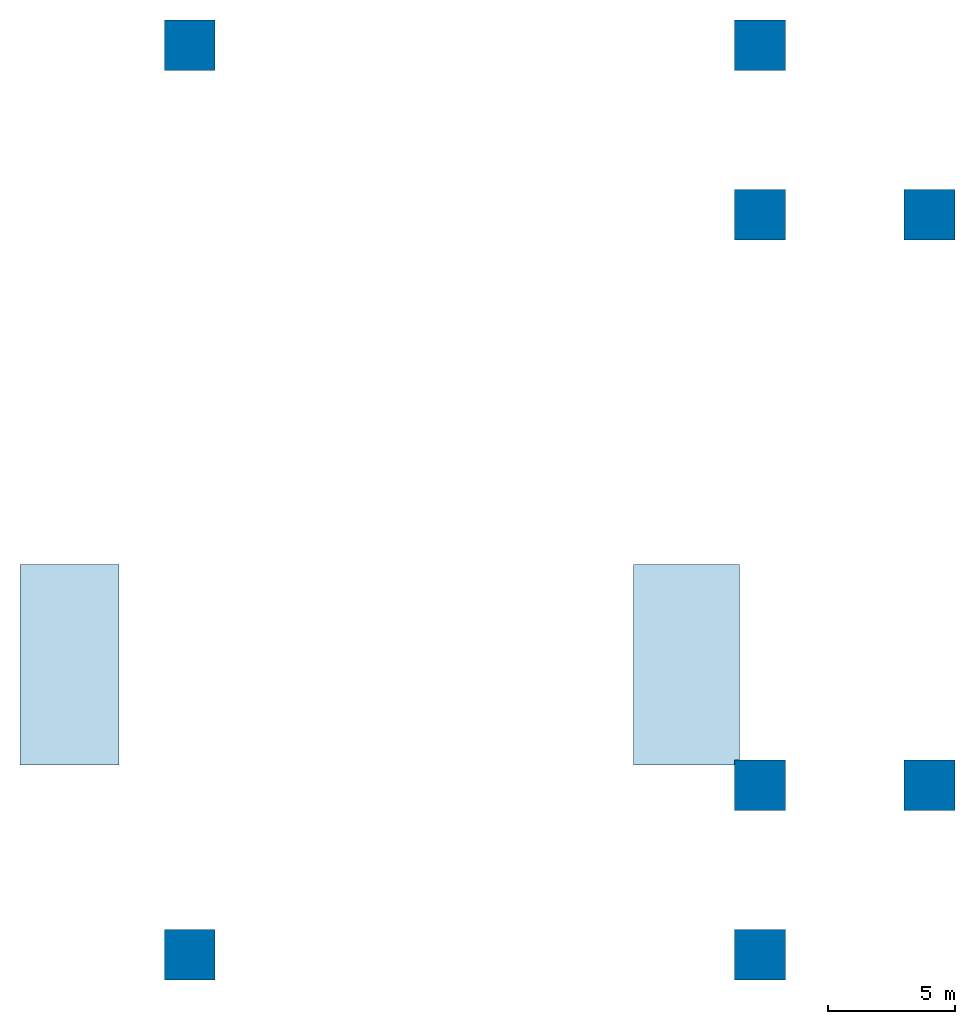
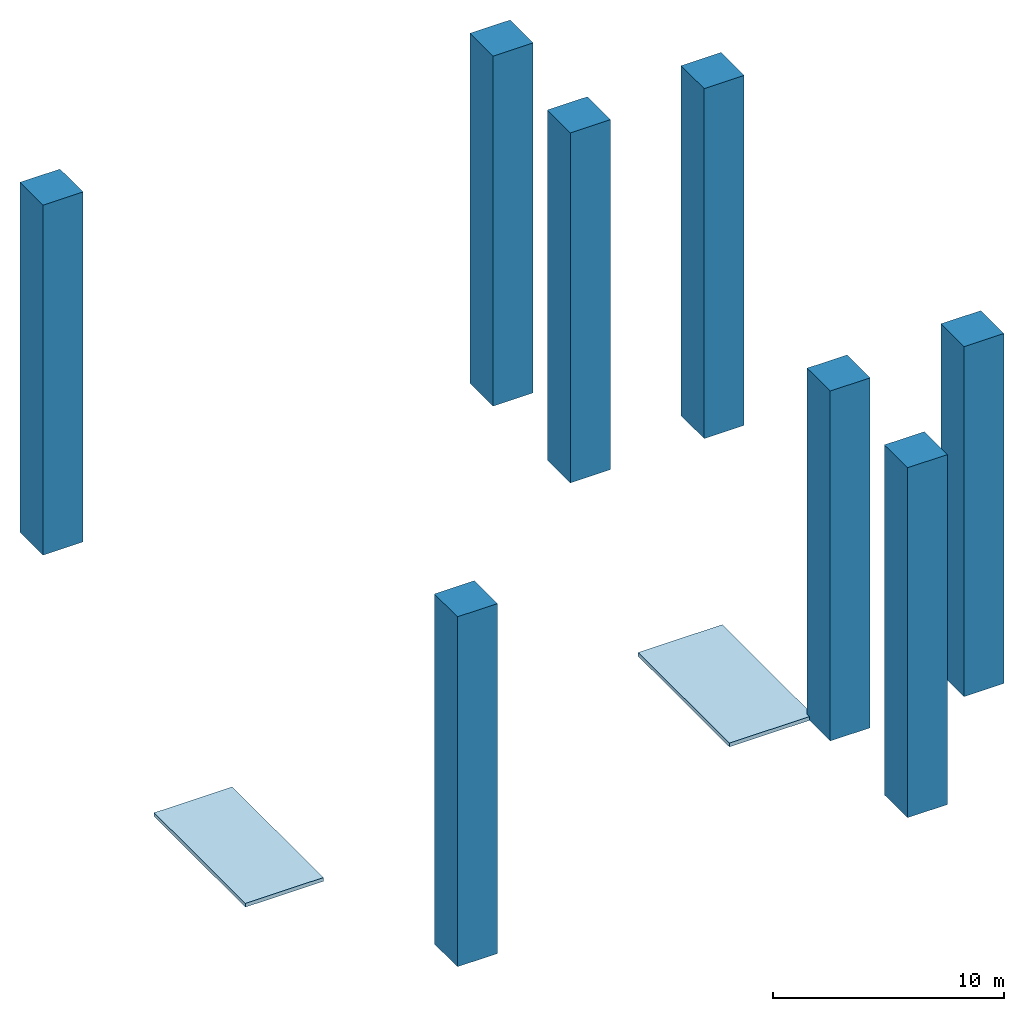
# One storey: 8 columns, 2 slabs.
"""IFC4 building model written with IfcOpenShell, lengths in metres."""

from ifc_helpers import new_model, si_unit, direction, frame, origin, origin_2d, place, context, subcontext, project, spatial, polyline, rectangle, outline, extrude, material, layer, layer_set, material_profile, profile_set, type_object, element, save


model = new_model("IFC4")

# Units and contexts
model_context = context("Model", 3, precision=1e-05, world=origin(), true_north=direction((0.0, 1.0)))
body_context = subcontext(model_context, "Body", "Model", "MODEL_VIEW")
ifc_project = project(units=[si_unit("LENGTHUNIT", "METRE"), si_unit("AREAUNIT", "SQUARE_METRE"), si_unit("VOLUMEUNIT", "CUBIC_METRE"), si_unit("PLANEANGLEUNIT", "RADIAN"), si_unit("MASSUNIT", "GRAM", prefix="KILO")], contexts=[model_context])

# Site, building, storey
site_placement = place(None, origin())
site = spatial("IfcSite", under=ifc_project, at=site_placement, CompositionType="ELEMENT")
building_placement = place(site_placement, origin())
building = spatial("IfcBuilding", under=site, at=building_placement, Name="Tamorin Gate", CompositionType="ELEMENT")
storey_placement = place(building_placement, frame((0.0, 0.0, 330.89990234375)))
storey = spatial("IfcBuildingStorey", under=building, at=storey_placement, Name="ROOF-UPPER", CompositionType="ELEMENT", Elevation=330.89990234375)

# Columns
ifc_material_1 = material(Name="Concrete C50/60", Category="concrete")
ifc_material_profile = material_profile(ifc_material_1, rectangle(XDim=2.0, YDim=2.0, at=origin_2d()), Name="RC 2000x2000")
ifc_profile_set = profile_set([ifc_material_profile], Name="Concrete C50/60")
column_type = type_object("IfcColumnType", Name="RC column 2000x2000 C50/60", PredefinedType="COLUMN", material=ifc_profile_set)
for number, where, z_axis, x_axis, name in (
    (1, (37.5, 53.31005859375, 0.0), (0.0, 0.0, 1.0), (1.0, 0.0, 0.0), "CROWN FRAME corner pier 1"),
    (2, (60.0, 53.31005859375, 0.0), (0.0, 0.0, 1.0), (1.0, 0.0, 0.0), "CROWN FRAME corner pier 2"),
    (3, (60.0, 60.0, 0.0), (0.0, 0.0, 1.0), (1.0, 0.0, 0.0), "CROWN FRAME corner pier 3"),
    (4, (66.68994140625, 60.0, 0.0), (0.0, 0.0, 1.0), (1.0, 0.0, 0.0), "CROWN FRAME corner pier 4"),
    (5, (66.68994140625, 82.5, 0.0), (0.0, 0.0, 1.0), (1.0, 0.0, 0.0), "CROWN FRAME corner pier 5"),
    (6, (60.0, 82.5, 0.0), (0.0, 0.0, 1.0), (1.0, 0.0, 0.0), "CROWN FRAME corner pier 6"),
    (7, (60.0, 89.18994140625, 0.0), (0.0, 0.0, 1.0), (1.0, 0.0, 0.0), "CROWN FRAME corner pier 7"),
    (8, (37.5, 89.18994140625, 0.0), (0.0, 0.0, 1.0), (1.0, 0.0, 0.0), "CROWN FRAME corner pier 8"),
):
    element("IfcColumn", number, at=place(storey_placement, frame(where, z_axis=z_axis, x_axis=x_axis)), inside=storey, type_object=column_type, Name=name, PredefinedType="COLUMN", context=body_context, shape_type="SweptSolid", body=[
        extrude(rectangle(XDim=2.0, YDim=2.0, at=origin_2d()), origin(), (0.0, 0.0, 1.0), 18.5),
    ])

# Slabs
ifc_material_2 = material(Name="Concrete C40/50", Category="concrete")
ifc_layer = layer(ifc_material_2, 0.199951171875)
ifc_layer_set = layer_set([ifc_layer], Name="Head-house roof slab 200 C40/50")
slab_type = type_object("IfcSlabType", Name="Head-house roof slab 200 C40/50", PredefinedType="ROOF", material=ifc_layer_set)
slab_1_placement = place(storey_placement, origin())
element("IfcSlab", 9, at=slab_1_placement, inside=storey, type_object=slab_type, Name="Head-house roof", PredefinedType="ROOF", context=body_context, shape_type="SweptSolid", body=[
    extrude(outline(polyline([(30.800048828125, 60.800048828125), (34.699951171875, 60.800048828125), (34.699951171875, 68.699951171875), (30.800048828125, 68.699951171875), (30.800048828125, 60.800048828125)])), origin(), (0.0, 0.0, 1.0), 0.2001953125),
])
slab_2_placement = place(storey_placement, origin())
element("IfcSlab", 10, at=slab_2_placement, inside=storey, type_object=slab_type, Name="Head-house roof", PredefinedType="ROOF", context=body_context, shape_type="SweptSolid", body=[
    extrude(outline(polyline([(55.0, 60.800048828125), (59.199951171875, 60.800048828125), (59.199951171875, 68.699951171875), (55.0, 68.699951171875), (55.0, 60.800048828125)])), origin(), (0.0, 0.0, 1.0), 0.2001953125),
])

save(model, "model.ifc")
